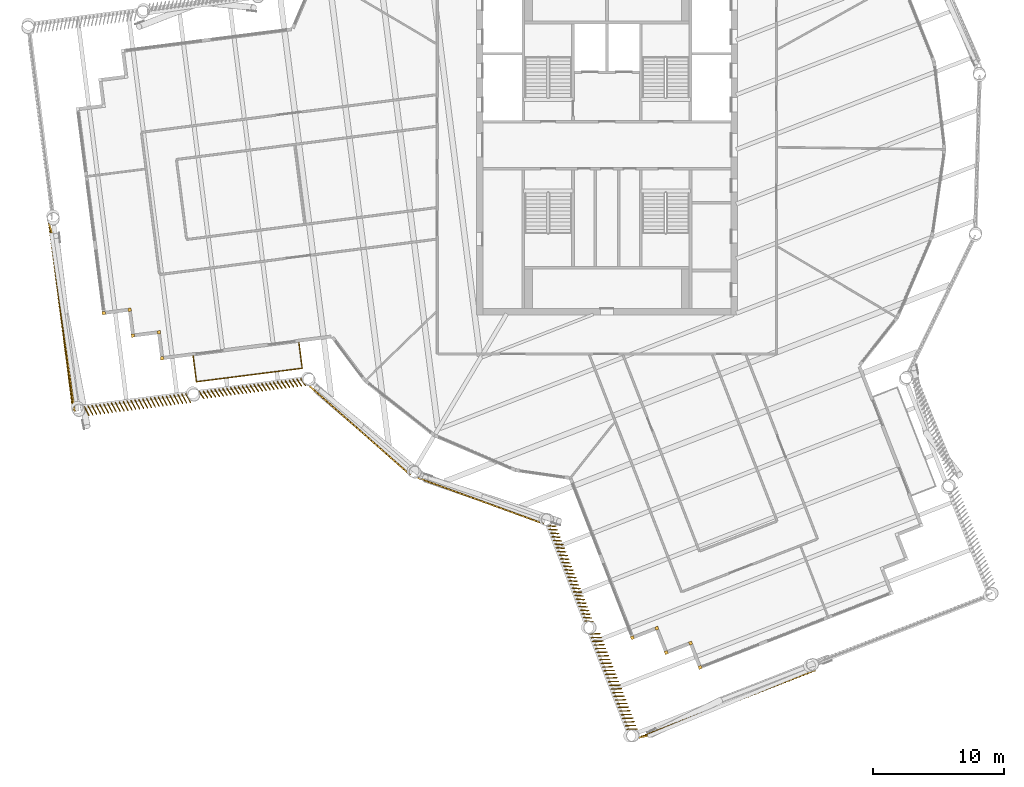
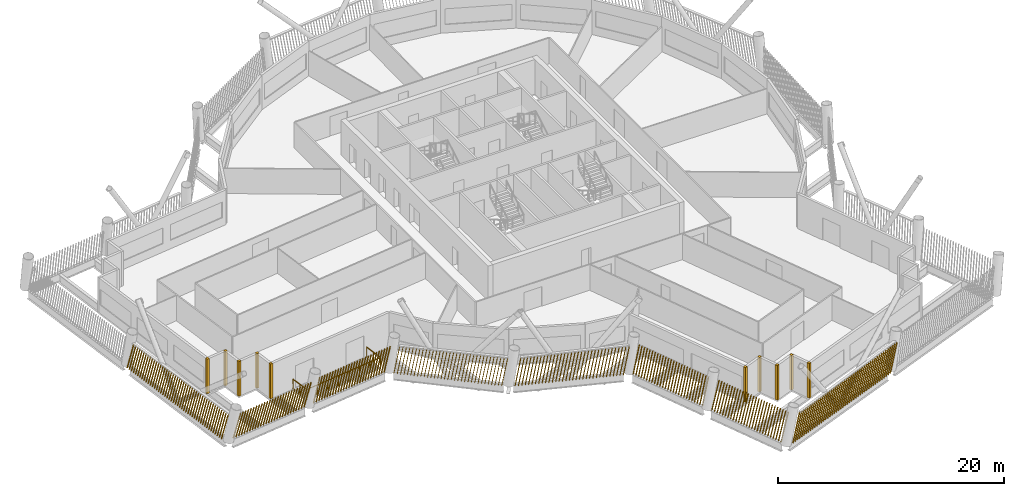
# One storey, part 16 of 20: 18 shading devices, 1 railing.
"""IFC4 building model written with IfcOpenShell, lengths in metres."""

from ifc_helpers import new_model, si_unit, direction, frame, frame_2d, origin, origin_2d, place, context, subcontext, project, spatial, rectangle, circle, composite_profile, extrude, material, type_object, element, save


model = new_model("IFC4")

# Units and contexts
model_context = context("Model", 3, precision=1e-05, world=origin(), true_north=direction((0.0, 1.0)))
body_context = subcontext(model_context, "Body", "Model", "MODEL_VIEW")
ifc_project = project(units=[si_unit("LENGTHUNIT", "METRE"), si_unit("AREAUNIT", "SQUARE_METRE"), si_unit("VOLUMEUNIT", "CUBIC_METRE"), si_unit("PLANEANGLEUNIT", "RADIAN"), si_unit("MASSUNIT", "GRAM", prefix="KILO")], contexts=[model_context])

# Site, building, storey
site_placement = place(None, origin())
site = spatial("IfcSite", under=ifc_project, at=site_placement, CompositionType="ELEMENT")
building_placement = place(site_placement, origin())
building = spatial("IfcBuilding", under=site, at=building_placement, Name="Tarsis Ring Headquarters", CompositionType="ELEMENT")
storey_placement = place(building_placement, frame((0.0, 0.0, 315.800048828125)))
storey = spatial("IfcBuildingStorey", under=building, at=storey_placement, Name="L74", CompositionType="ELEMENT", Elevation=315.800048828125)

# Railing
ifc_material_1 = material(Name="Stainless steel guard", Category="steel")
railing_type = type_object("IfcRailingType", Name="Balcony balustrade with mesh infill 1100", PredefinedType="BALUSTRADE", material=ifc_material_1)
railing_placement = place(storey_placement, frame((-31.709228515625, -16.1484375, 0.0)))
element("IfcRailing", 1, at=railing_placement, inside=storey, type_object=railing_type, Name="Balcony balustrade L74-01", PredefinedType="BALUSTRADE", context=body_context, shape_type="SweptSolid", body=[
    extrude(circle(Radius=0.030029296875, at=origin_2d()), frame((0.0, 0.0, 1.070068359375), z_axis=(0.126708553888, -0.9919399893, 0.0), x_axis=(0.9919399893, 0.126708553888, 0.0)), (0.0, 0.0, 1.0), 2.0),
    extrude(circle(Radius=0.030029296875, at=origin_2d()), frame((0.25341796875, -1.98388671875, 1.070068359375), z_axis=(0.991936839332, 0.126733211025, 0.0), x_axis=(-0.126733211025, 0.991936839332, 0.0)), (0.0, 0.0, 1.0), 8.171875),
    extrude(circle(Radius=0.030029296875, at=origin_2d()), frame((8.359375, -0.9482421875, 1.070068359375), z_axis=(-0.126708553888, 0.9919399893, 0.0), x_axis=(-0.9919399893, -0.126708553888, 0.0)), (0.0, 0.0, 1.0), 2.0),
    extrude(circle(Radius=0.02490234375, at=origin_2d()), origin(), (0.0, 0.0, 1.0), 1.0400390625),
    extrude(circle(Radius=0.02490234375, at=origin_2d()), frame((0.126708984375, -0.991943359375, 0.0)), (0.0, 0.0, 1.0), 1.0400390625),
    extrude(circle(Radius=0.02490234375, at=origin_2d()), frame((0.25341796875, -1.98388671875, 0.0)), (0.0, 0.0, 1.0), 1.0400390625),
    extrude(circle(Radius=0.02490234375, at=origin_2d()), frame((1.411376953125, -1.8359375, 0.0)), (0.0, 0.0, 1.0), 1.0400390625),
    extrude(circle(Radius=0.02490234375, at=origin_2d()), frame((2.5693359375, -1.68798828125, 0.0)), (0.0, 0.0, 1.0), 1.0400390625),
    extrude(circle(Radius=0.02490234375, at=origin_2d()), frame((3.727294921875, -1.5400390625, 0.0)), (0.0, 0.0, 1.0), 1.0400390625),
    extrude(circle(Radius=0.02490234375, at=origin_2d()), frame((4.885498046875, -1.39208984375, 0.0)), (0.0, 0.0, 1.0), 1.0400390625),
    extrude(circle(Radius=0.02490234375, at=origin_2d()), frame((6.04345703125, -1.244140625, 0.0)), (0.0, 0.0, 1.0), 1.0400390625),
    extrude(circle(Radius=0.02490234375, at=origin_2d()), frame((7.201416015625, -1.09619140625, 0.0)), (0.0, 0.0, 1.0), 1.0400390625),
    extrude(circle(Radius=0.02490234375, at=origin_2d()), frame((8.359375, -0.9482421875, 0.0)), (0.0, 0.0, 1.0), 1.0400390625),
    extrude(circle(Radius=0.02490234375, at=origin_2d()), frame((8.232666015625, 0.043701171875, 0.0)), (0.0, 0.0, 1.0), 1.0400390625),
    extrude(circle(Radius=0.02490234375, at=origin_2d()), frame((8.10595703125, 1.03564453125, 0.0)), (0.0, 0.0, 1.0), 1.0400390625),
])

# Shading devices
ifc_material_2 = material(Name="Terracotta baguette", Category="masonry")
shading_device_type_1 = type_object("IfcShadingDeviceType", Name="Terracotta baguette screen", PredefinedType="USERDEFINED", material=ifc_material_2)
shading_device_1_placement = place(storey_placement, frame((-14.498046875, -25.495849609375, 0.0), z_axis=(0.0, 0.0, 1.0), x_axis=(0.939487820112, -0.342585883823, 0.0)))
element("IfcShadingDevice", 2, at=shading_device_1_placement, inside=storey, type_object=shading_device_type_1, Name="Baguette screen L74-00", ObjectType="Terracotta baguette screen", PredefinedType="USERDEFINED", context=body_context, shape_type="SweptSolid", body=[
    extrude(composite_profile([rectangle(XDim=0.06005859375, YDim=0.1201171875, at=frame_2d((0.030029296875, 0.0))), rectangle(XDim=0.06005859375, YDim=0.1201171875, at=frame_2d((0.33349609375, 0.0))), rectangle(XDim=0.06005859375, YDim=0.1201171875, at=frame_2d((0.636962890625, 0.0))), rectangle(XDim=0.06005859375, YDim=0.1201171875, at=frame_2d((0.9404296875, 0.0))), rectangle(XDim=0.06005859375, YDim=0.1201171875, at=frame_2d((1.243896484375, 0.0))), rectangle(XDim=0.06005859375, YDim=0.1201171875, at=frame_2d((1.54736328125, 0.0))), rectangle(XDim=0.06005859375, YDim=0.1201171875, at=frame_2d((1.85107421875, 0.0))), rectangle(XDim=0.06005859375, YDim=0.1201171875, at=frame_2d((2.154541015625, 0.0))), rectangle(XDim=0.06005859375, YDim=0.1201171875, at=frame_2d((2.4580078125, 0.0))), rectangle(XDim=0.06005859375, YDim=0.1201171875, at=frame_2d((2.761474609375, 0.0))), rectangle(XDim=0.06005859375, YDim=0.1201171875, at=frame_2d((3.06494140625, 0.0))), rectangle(XDim=0.06005859375, YDim=0.1201171875, at=frame_2d((3.368408203125, 0.0))), rectangle(XDim=0.06005859375, YDim=0.1201171875, at=frame_2d((3.671875, 0.0))), rectangle(XDim=0.06005859375, YDim=0.1201171875, at=frame_2d((3.975341796875, 0.0))), rectangle(XDim=0.06005859375, YDim=0.1201171875, at=frame_2d((4.27880859375, 0.0))), rectangle(XDim=0.06005859375, YDim=0.1201171875, at=frame_2d((4.582275390625, 0.0))), rectangle(XDim=0.06005859375, YDim=0.1201171875, at=frame_2d((4.8857421875, 0.0))), rectangle(XDim=0.06005859375, YDim=0.1201171875, at=frame_2d((5.189453125, 0.0))), rectangle(XDim=0.06005859375, YDim=0.1201171875, at=frame_2d((5.492919921875, 0.0))), rectangle(XDim=0.06005859375, YDim=0.1201171875, at=frame_2d((5.79638671875, 0.0))), rectangle(XDim=0.06005859375, YDim=0.1201171875, at=frame_2d((6.099853515625, 0.0))), rectangle(XDim=0.06005859375, YDim=0.1201171875, at=frame_2d((6.4033203125, 0.0))), rectangle(XDim=0.06005859375, YDim=0.1201171875, at=frame_2d((6.706787109375, 0.0))), rectangle(XDim=0.06005859375, YDim=0.1201171875, at=frame_2d((7.01025390625, 0.0))), rectangle(XDim=0.06005859375, YDim=0.1201171875, at=frame_2d((7.313720703125, 0.0))), rectangle(XDim=0.06005859375, YDim=0.1201171875, at=frame_2d((7.6171875, 0.0))), rectangle(XDim=0.06005859375, YDim=0.1201171875, at=frame_2d((7.920654296875, 0.0))), rectangle(XDim=0.06005859375, YDim=0.1201171875, at=frame_2d((8.224365234375, 0.0))), rectangle(XDim=0.06005859375, YDim=0.1201171875, at=frame_2d((8.52783203125, 0.0))), rectangle(XDim=0.06005859375, YDim=0.1201171875, at=frame_2d((8.831298828125, 0.0))), rectangle(XDim=0.06005859375, YDim=0.1201171875, at=frame_2d((9.134765625, 0.0))), rectangle(XDim=0.06005859375, YDim=0.1201171875, at=frame_2d((9.438232421875, 0.0))), rectangle(XDim=0.06005859375, YDim=0.1201171875, at=frame_2d((9.74169921875, 0.0)))]), origin(), (0.174165955542, 0.001578949662, 0.984715048554), 3.013916015625),
])
shading_device_2_placement = place(storey_placement, frame((-4.537841796875, -29.12841796875, 0.0), z_axis=(0.0, 0.0, 1.0), x_axis=(0.362920168067, -0.931815373208, 0.0)))
element("IfcShadingDevice", 3, at=shading_device_2_placement, inside=storey, type_object=shading_device_type_1, Name="Baguette screen L74-01", ObjectType="Terracotta baguette screen", PredefinedType="USERDEFINED", context=body_context, shape_type="SweptSolid", body=[
    extrude(composite_profile([rectangle(XDim=0.06005859375, YDim=0.1201171875, at=frame_2d((0.030029296875, 0.0))), rectangle(XDim=0.06005859375, YDim=0.1201171875, at=frame_2d((0.33154296875, 0.0))), rectangle(XDim=0.06005859375, YDim=0.1201171875, at=frame_2d((0.63330078125, 0.0))), rectangle(XDim=0.06005859375, YDim=0.1201171875, at=frame_2d((0.934814453125, 0.0))), rectangle(XDim=0.06005859375, YDim=0.1201171875, at=frame_2d((1.236572265625, 0.0))), rectangle(XDim=0.06005859375, YDim=0.1201171875, at=frame_2d((1.5380859375, 0.0))), rectangle(XDim=0.06005859375, YDim=0.1201171875, at=frame_2d((1.83984375, 0.0))), rectangle(XDim=0.06005859375, YDim=0.1201171875, at=frame_2d((2.141357421875, 0.0))), rectangle(XDim=0.06005859375, YDim=0.1201171875, at=frame_2d((2.443115234375, 0.0))), rectangle(XDim=0.06005859375, YDim=0.1201171875, at=frame_2d((2.74462890625, 0.0))), rectangle(XDim=0.06005859375, YDim=0.1201171875, at=frame_2d((3.04638671875, 0.0))), rectangle(XDim=0.06005859375, YDim=0.1201171875, at=frame_2d((3.347900390625, 0.0))), rectangle(XDim=0.06005859375, YDim=0.1201171875, at=frame_2d((3.649658203125, 0.0))), rectangle(XDim=0.06005859375, YDim=0.1201171875, at=frame_2d((3.951171875, 0.0))), rectangle(XDim=0.06005859375, YDim=0.1201171875, at=frame_2d((4.252685546875, 0.0))), rectangle(XDim=0.06005859375, YDim=0.1201171875, at=frame_2d((4.554443359375, 0.0))), rectangle(XDim=0.06005859375, YDim=0.1201171875, at=frame_2d((4.85595703125, 0.0))), rectangle(XDim=0.06005859375, YDim=0.1201171875, at=frame_2d((5.15771484375, 0.0))), rectangle(XDim=0.06005859375, YDim=0.1201171875, at=frame_2d((5.459228515625, 0.0))), rectangle(XDim=0.06005859375, YDim=0.1201171875, at=frame_2d((5.760986328125, 0.0))), rectangle(XDim=0.06005859375, YDim=0.1201171875, at=frame_2d((6.0625, 0.0))), rectangle(XDim=0.06005859375, YDim=0.1201171875, at=frame_2d((6.3642578125, 0.0))), rectangle(XDim=0.06005859375, YDim=0.1201171875, at=frame_2d((6.665771484375, 0.0))), rectangle(XDim=0.06005859375, YDim=0.1201171875, at=frame_2d((6.967529296875, 0.0))), rectangle(XDim=0.06005859375, YDim=0.1201171875, at=frame_2d((7.26904296875, 0.0))), rectangle(XDim=0.06005859375, YDim=0.1201171875, at=frame_2d((7.57080078125, 0.0))), rectangle(XDim=0.06005859375, YDim=0.1201171875, at=frame_2d((7.872314453125, 0.0)))]), origin(), (0.087126286639, 0.177345059926, 0.98028451987), 3.02734375),
])
shading_device_3_placement = place(storey_placement, frame((-1.30712890625, -37.423828125, 0.0), z_axis=(0.0, 0.0, 1.0), x_axis=(0.362931380727, -0.931813266599, 0.0)))
element("IfcShadingDevice", 4, at=shading_device_3_placement, inside=storey, type_object=shading_device_type_1, Name="Baguette screen L74-02", ObjectType="Terracotta baguette screen", PredefinedType="USERDEFINED", context=body_context, shape_type="SweptSolid", body=[
    extrude(composite_profile([rectangle(XDim=0.06005859375, YDim=0.1201171875, at=frame_2d((0.030029296875, 0.0))), rectangle(XDim=0.06005859375, YDim=0.1201171875, at=frame_2d((0.33154296875, 0.0))), rectangle(XDim=0.06005859375, YDim=0.1201171875, at=frame_2d((0.63330078125, 0.0))), rectangle(XDim=0.06005859375, YDim=0.1201171875, at=frame_2d((0.934814453125, 0.0))), rectangle(XDim=0.06005859375, YDim=0.1201171875, at=frame_2d((1.236572265625, 0.0))), rectangle(XDim=0.06005859375, YDim=0.1201171875, at=frame_2d((1.5380859375, 0.0))), rectangle(XDim=0.06005859375, YDim=0.1201171875, at=frame_2d((1.83984375, 0.0))), rectangle(XDim=0.06005859375, YDim=0.1201171875, at=frame_2d((2.141357421875, 0.0))), rectangle(XDim=0.06005859375, YDim=0.1201171875, at=frame_2d((2.443115234375, 0.0))), rectangle(XDim=0.06005859375, YDim=0.1201171875, at=frame_2d((2.74462890625, 0.0))), rectangle(XDim=0.06005859375, YDim=0.1201171875, at=frame_2d((3.04638671875, 0.0))), rectangle(XDim=0.06005859375, YDim=0.1201171875, at=frame_2d((3.347900390625, 0.0))), rectangle(XDim=0.06005859375, YDim=0.1201171875, at=frame_2d((3.649658203125, 0.0))), rectangle(XDim=0.06005859375, YDim=0.1201171875, at=frame_2d((3.951171875, 0.0))), rectangle(XDim=0.06005859375, YDim=0.1201171875, at=frame_2d((4.252685546875, 0.0))), rectangle(XDim=0.06005859375, YDim=0.1201171875, at=frame_2d((4.554443359375, 0.0))), rectangle(XDim=0.06005859375, YDim=0.1201171875, at=frame_2d((4.85595703125, 0.0))), rectangle(XDim=0.06005859375, YDim=0.1201171875, at=frame_2d((5.15771484375, 0.0))), rectangle(XDim=0.06005859375, YDim=0.1201171875, at=frame_2d((5.459228515625, 0.0))), rectangle(XDim=0.06005859375, YDim=0.1201171875, at=frame_2d((5.760986328125, 0.0))), rectangle(XDim=0.06005859375, YDim=0.1201171875, at=frame_2d((6.0625, 0.0))), rectangle(XDim=0.06005859375, YDim=0.1201171875, at=frame_2d((6.3642578125, 0.0))), rectangle(XDim=0.06005859375, YDim=0.1201171875, at=frame_2d((6.665771484375, 0.0))), rectangle(XDim=0.06005859375, YDim=0.1201171875, at=frame_2d((6.967529296875, 0.0))), rectangle(XDim=0.06005859375, YDim=0.1201171875, at=frame_2d((7.26904296875, 0.0))), rectangle(XDim=0.06005859375, YDim=0.1201171875, at=frame_2d((7.57080078125, 0.0))), rectangle(XDim=0.06005859375, YDim=0.1201171875, at=frame_2d((7.872314453125, 0.0)))]), origin(), (0.085719917928, 0.228253011385, 0.969820941444), 3.06005859375),
])
shading_device_4_placement = place(storey_placement, frame((2.34423828125, -45.421142578125, 0.0), z_axis=(0.0, 0.0, 1.0), x_axis=(0.931817779743, 0.362936753649, 0.0)))
element("IfcShadingDevice", 5, at=shading_device_4_placement, inside=storey, type_object=shading_device_type_1, Name="Baguette screen L74-03", ObjectType="Terracotta baguette screen", PredefinedType="USERDEFINED", context=body_context, shape_type="SweptSolid", body=[
    extrude(composite_profile([rectangle(XDim=0.06005859375, YDim=0.1201171875, at=frame_2d((0.030029296875, 0.0))), rectangle(XDim=0.06005859375, YDim=0.1201171875, at=frame_2d((0.33544921875, 0.0))), rectangle(XDim=0.06005859375, YDim=0.1201171875, at=frame_2d((0.640625, 0.0))), rectangle(XDim=0.06005859375, YDim=0.1201171875, at=frame_2d((0.946044921875, 0.0))), rectangle(XDim=0.06005859375, YDim=0.1201171875, at=frame_2d((1.25146484375, 0.0))), rectangle(XDim=0.06005859375, YDim=0.1201171875, at=frame_2d((1.556640625, 0.0))), rectangle(XDim=0.06005859375, YDim=0.1201171875, at=frame_2d((1.862060546875, 0.0))), rectangle(XDim=0.06005859375, YDim=0.1201171875, at=frame_2d((2.16748046875, 0.0))), rectangle(XDim=0.06005859375, YDim=0.1201171875, at=frame_2d((2.47265625, 0.0))), rectangle(XDim=0.06005859375, YDim=0.1201171875, at=frame_2d((2.778076171875, 0.0))), rectangle(XDim=0.06005859375, YDim=0.1201171875, at=frame_2d((3.08349609375, 0.0))), rectangle(XDim=0.06005859375, YDim=0.1201171875, at=frame_2d((3.388671875, 0.0))), rectangle(XDim=0.06005859375, YDim=0.1201171875, at=frame_2d((3.694091796875, 0.0))), rectangle(XDim=0.06005859375, YDim=0.1201171875, at=frame_2d((3.99951171875, 0.0))), rectangle(XDim=0.06005859375, YDim=0.1201171875, at=frame_2d((4.3046875, 0.0))), rectangle(XDim=0.06005859375, YDim=0.1201171875, at=frame_2d((4.610107421875, 0.0))), rectangle(XDim=0.06005859375, YDim=0.1201171875, at=frame_2d((4.91552734375, 0.0))), rectangle(XDim=0.06005859375, YDim=0.1201171875, at=frame_2d((5.220703125, 0.0))), rectangle(XDim=0.06005859375, YDim=0.1201171875, at=frame_2d((5.526123046875, 0.0))), rectangle(XDim=0.06005859375, YDim=0.1201171875, at=frame_2d((5.83154296875, 0.0))), rectangle(XDim=0.06005859375, YDim=0.1201171875, at=frame_2d((6.13671875, 0.0))), rectangle(XDim=0.06005859375, YDim=0.1201171875, at=frame_2d((6.442138671875, 0.0))), rectangle(XDim=0.06005859375, YDim=0.1201171875, at=frame_2d((6.74755859375, 0.0))), rectangle(XDim=0.06005859375, YDim=0.1201171875, at=frame_2d((7.052734375, 0.0))), rectangle(XDim=0.06005859375, YDim=0.1201171875, at=frame_2d((7.358154296875, 0.0))), rectangle(XDim=0.06005859375, YDim=0.1201171875, at=frame_2d((7.66357421875, 0.0))), rectangle(XDim=0.06005859375, YDim=0.1201171875, at=frame_2d((7.96875, 0.0))), rectangle(XDim=0.06005859375, YDim=0.1201171875, at=frame_2d((8.274169921875, 0.0))), rectangle(XDim=0.06005859375, YDim=0.1201171875, at=frame_2d((8.57958984375, 0.0))), rectangle(XDim=0.06005859375, YDim=0.1201171875, at=frame_2d((8.884765625, 0.0))), rectangle(XDim=0.06005859375, YDim=0.1201171875, at=frame_2d((9.190185546875, 0.0))), rectangle(XDim=0.06005859375, YDim=0.1201171875, at=frame_2d((9.49560546875, 0.0))), rectangle(XDim=0.06005859375, YDim=0.1201171875, at=frame_2d((9.80078125, 0.0))), rectangle(XDim=0.06005859375, YDim=0.1201171875, at=frame_2d((10.106201171875, 0.0))), rectangle(XDim=0.06005859375, YDim=0.1201171875, at=frame_2d((10.41162109375, 0.0))), rectangle(XDim=0.06005859375, YDim=0.1201171875, at=frame_2d((10.716796875, 0.0))), rectangle(XDim=0.06005859375, YDim=0.1201171875, at=frame_2d((11.022216796875, 0.0))), rectangle(XDim=0.06005859375, YDim=0.1201171875, at=frame_2d((11.32763671875, 0.0))), rectangle(XDim=0.06005859375, YDim=0.1201171875, at=frame_2d((11.6328125, 0.0))), rectangle(XDim=0.06005859375, YDim=0.1201171875, at=frame_2d((11.938232421875, 0.0))), rectangle(XDim=0.06005859375, YDim=0.1201171875, at=frame_2d((12.24365234375, 0.0))), rectangle(XDim=0.06005859375, YDim=0.1201171875, at=frame_2d((12.548828125, 0.0))), rectangle(XDim=0.06005859375, YDim=0.1201171875, at=frame_2d((12.854248046875, 0.0))), rectangle(XDim=0.06005859375, YDim=0.1201171875, at=frame_2d((13.15966796875, 0.0))), rectangle(XDim=0.06005859375, YDim=0.1201171875, at=frame_2d((13.46484375, 0.0))), rectangle(XDim=0.06005859375, YDim=0.1201171875, at=frame_2d((13.770263671875, 0.0)))]), origin(), (0.255453390059, -0.041403411492, 0.965934429982), 3.072509765625),
])
shading_device_5_placement = place(storey_placement, frame((-42.763671875, -5.967041015625, 0.0), z_axis=(0.0, 0.0, 1.0), x_axis=(0.126722689076, -0.991932773109, 0.0)))
element("IfcShadingDevice", 6, at=shading_device_5_placement, inside=storey, type_object=shading_device_type_1, Name="Baguette screen L74-18", ObjectType="Terracotta baguette screen", PredefinedType="USERDEFINED", context=body_context, shape_type="SweptSolid", body=[
    extrude(composite_profile([rectangle(XDim=0.06005859375, YDim=0.1201171875, at=frame_2d((0.030029296875, 0.0))), rectangle(XDim=0.06005859375, YDim=0.1201171875, at=frame_2d((0.33544921875, 0.0))), rectangle(XDim=0.06005859375, YDim=0.1201171875, at=frame_2d((0.640625, 0.0))), rectangle(XDim=0.06005859375, YDim=0.1201171875, at=frame_2d((0.946044921875, 0.0))), rectangle(XDim=0.06005859375, YDim=0.1201171875, at=frame_2d((1.25146484375, 0.0))), rectangle(XDim=0.06005859375, YDim=0.1201171875, at=frame_2d((1.556640625, 0.0))), rectangle(XDim=0.06005859375, YDim=0.1201171875, at=frame_2d((1.862060546875, 0.0))), rectangle(XDim=0.06005859375, YDim=0.1201171875, at=frame_2d((2.16748046875, 0.0))), rectangle(XDim=0.06005859375, YDim=0.1201171875, at=frame_2d((2.47265625, 0.0))), rectangle(XDim=0.06005859375, YDim=0.1201171875, at=frame_2d((2.778076171875, 0.0))), rectangle(XDim=0.06005859375, YDim=0.1201171875, at=frame_2d((3.08349609375, 0.0))), rectangle(XDim=0.06005859375, YDim=0.1201171875, at=frame_2d((3.388671875, 0.0))), rectangle(XDim=0.06005859375, YDim=0.1201171875, at=frame_2d((3.694091796875, 0.0))), rectangle(XDim=0.06005859375, YDim=0.1201171875, at=frame_2d((3.99951171875, 0.0))), rectangle(XDim=0.06005859375, YDim=0.1201171875, at=frame_2d((4.3046875, 0.0))), rectangle(XDim=0.06005859375, YDim=0.1201171875, at=frame_2d((4.610107421875, 0.0))), rectangle(XDim=0.06005859375, YDim=0.1201171875, at=frame_2d((4.91552734375, 0.0))), rectangle(XDim=0.06005859375, YDim=0.1201171875, at=frame_2d((5.220703125, 0.0))), rectangle(XDim=0.06005859375, YDim=0.1201171875, at=frame_2d((5.526123046875, 0.0))), rectangle(XDim=0.06005859375, YDim=0.1201171875, at=frame_2d((5.83154296875, 0.0))), rectangle(XDim=0.06005859375, YDim=0.1201171875, at=frame_2d((6.13671875, 0.0))), rectangle(XDim=0.06005859375, YDim=0.1201171875, at=frame_2d((6.442138671875, 0.0))), rectangle(XDim=0.06005859375, YDim=0.1201171875, at=frame_2d((6.74755859375, 0.0))), rectangle(XDim=0.06005859375, YDim=0.1201171875, at=frame_2d((7.052734375, 0.0))), rectangle(XDim=0.06005859375, YDim=0.1201171875, at=frame_2d((7.358154296875, 0.0))), rectangle(XDim=0.06005859375, YDim=0.1201171875, at=frame_2d((7.66357421875, 0.0))), rectangle(XDim=0.06005859375, YDim=0.1201171875, at=frame_2d((7.96875, 0.0))), rectangle(XDim=0.06005859375, YDim=0.1201171875, at=frame_2d((8.274169921875, 0.0))), rectangle(XDim=0.06005859375, YDim=0.1201171875, at=frame_2d((8.57958984375, 0.0))), rectangle(XDim=0.06005859375, YDim=0.1201171875, at=frame_2d((8.884765625, 0.0))), rectangle(XDim=0.06005859375, YDim=0.1201171875, at=frame_2d((9.190185546875, 0.0))), rectangle(XDim=0.06005859375, YDim=0.1201171875, at=frame_2d((9.49560546875, 0.0))), rectangle(XDim=0.06005859375, YDim=0.1201171875, at=frame_2d((9.80078125, 0.0))), rectangle(XDim=0.06005859375, YDim=0.1201171875, at=frame_2d((10.106201171875, 0.0))), rectangle(XDim=0.06005859375, YDim=0.1201171875, at=frame_2d((10.41162109375, 0.0))), rectangle(XDim=0.06005859375, YDim=0.1201171875, at=frame_2d((10.716796875, 0.0))), rectangle(XDim=0.06005859375, YDim=0.1201171875, at=frame_2d((11.022216796875, 0.0))), rectangle(XDim=0.06005859375, YDim=0.1201171875, at=frame_2d((11.32763671875, 0.0))), rectangle(XDim=0.06005859375, YDim=0.1201171875, at=frame_2d((11.6328125, 0.0))), rectangle(XDim=0.06005859375, YDim=0.1201171875, at=frame_2d((11.938232421875, 0.0))), rectangle(XDim=0.06005859375, YDim=0.1201171875, at=frame_2d((12.24365234375, 0.0))), rectangle(XDim=0.06005859375, YDim=0.1201171875, at=frame_2d((12.548828125, 0.0))), rectangle(XDim=0.06005859375, YDim=0.1201171875, at=frame_2d((12.854248046875, 0.0))), rectangle(XDim=0.06005859375, YDim=0.1201171875, at=frame_2d((13.15966796875, 0.0))), rectangle(XDim=0.06005859375, YDim=0.1201171875, at=frame_2d((13.46484375, 0.0))), rectangle(XDim=0.06005859375, YDim=0.1201171875, at=frame_2d((13.770263671875, 0.0)))]), origin(), (0.254658867171, 0.046029119964, 0.965934874351), 3.072509765625),
])
shading_device_6_placement = place(storey_placement, frame((-40.08349609375, -20.040771484375, 0.0), z_axis=(0.0, 0.0, 1.0), x_axis=(0.991936231347, 0.126703123552, 0.0)))
element("IfcShadingDevice", 7, at=shading_device_6_placement, inside=storey, type_object=shading_device_type_1, Name="Baguette screen L74-19", ObjectType="Terracotta baguette screen", PredefinedType="USERDEFINED", context=body_context, shape_type="SweptSolid", body=[
    extrude(composite_profile([rectangle(XDim=0.06005859375, YDim=0.1201171875, at=frame_2d((0.030029296875, 0.0))), rectangle(XDim=0.06005859375, YDim=0.1201171875, at=frame_2d((0.33154296875, 0.0))), rectangle(XDim=0.06005859375, YDim=0.1201171875, at=frame_2d((0.63330078125, 0.0))), rectangle(XDim=0.06005859375, YDim=0.1201171875, at=frame_2d((0.934814453125, 0.0))), rectangle(XDim=0.06005859375, YDim=0.1201171875, at=frame_2d((1.236572265625, 0.0))), rectangle(XDim=0.06005859375, YDim=0.1201171875, at=frame_2d((1.5380859375, 0.0))), rectangle(XDim=0.06005859375, YDim=0.1201171875, at=frame_2d((1.83984375, 0.0))), rectangle(XDim=0.06005859375, YDim=0.1201171875, at=frame_2d((2.141357421875, 0.0))), rectangle(XDim=0.06005859375, YDim=0.1201171875, at=frame_2d((2.443115234375, 0.0))), rectangle(XDim=0.06005859375, YDim=0.1201171875, at=frame_2d((2.74462890625, 0.0))), rectangle(XDim=0.06005859375, YDim=0.1201171875, at=frame_2d((3.04638671875, 0.0))), rectangle(XDim=0.06005859375, YDim=0.1201171875, at=frame_2d((3.347900390625, 0.0))), rectangle(XDim=0.06005859375, YDim=0.1201171875, at=frame_2d((3.649658203125, 0.0))), rectangle(XDim=0.06005859375, YDim=0.1201171875, at=frame_2d((3.951171875, 0.0))), rectangle(XDim=0.06005859375, YDim=0.1201171875, at=frame_2d((4.252685546875, 0.0))), rectangle(XDim=0.06005859375, YDim=0.1201171875, at=frame_2d((4.554443359375, 0.0))), rectangle(XDim=0.06005859375, YDim=0.1201171875, at=frame_2d((4.85595703125, 0.0))), rectangle(XDim=0.06005859375, YDim=0.1201171875, at=frame_2d((5.15771484375, 0.0))), rectangle(XDim=0.06005859375, YDim=0.1201171875, at=frame_2d((5.459228515625, 0.0))), rectangle(XDim=0.06005859375, YDim=0.1201171875, at=frame_2d((5.760986328125, 0.0))), rectangle(XDim=0.06005859375, YDim=0.1201171875, at=frame_2d((6.0625, 0.0))), rectangle(XDim=0.06005859375, YDim=0.1201171875, at=frame_2d((6.3642578125, 0.0))), rectangle(XDim=0.06005859375, YDim=0.1201171875, at=frame_2d((6.665771484375, 0.0))), rectangle(XDim=0.06005859375, YDim=0.1201171875, at=frame_2d((6.967529296875, 0.0))), rectangle(XDim=0.06005859375, YDim=0.1201171875, at=frame_2d((7.26904296875, 0.0))), rectangle(XDim=0.06005859375, YDim=0.1201171875, at=frame_2d((7.57080078125, 0.0))), rectangle(XDim=0.06005859375, YDim=0.1201171875, at=frame_2d((7.872314453125, 0.0)))]), origin(), (0.089850323978, -0.226658629702, 0.96982100661), 3.06005859375),
])
shading_device_7_placement = place(storey_placement, frame((-31.253173828125, -18.912841796875, 0.0), z_axis=(0.0, 0.0, 1.0), x_axis=(0.991936480475, 0.126730103806, 0.0)))
element("IfcShadingDevice", 8, at=shading_device_7_placement, inside=storey, type_object=shading_device_type_1, Name="Baguette screen L74-20", ObjectType="Terracotta baguette screen", PredefinedType="USERDEFINED", context=body_context, shape_type="SweptSolid", body=[
    extrude(composite_profile([rectangle(XDim=0.06005859375, YDim=0.1201171875, at=frame_2d((0.030029296875, 0.0))), rectangle(XDim=0.06005859375, YDim=0.1201171875, at=frame_2d((0.33154296875, 0.0))), rectangle(XDim=0.06005859375, YDim=0.1201171875, at=frame_2d((0.63330078125, 0.0))), rectangle(XDim=0.06005859375, YDim=0.1201171875, at=frame_2d((0.934814453125, 0.0))), rectangle(XDim=0.06005859375, YDim=0.1201171875, at=frame_2d((1.236572265625, 0.0))), rectangle(XDim=0.06005859375, YDim=0.1201171875, at=frame_2d((1.5380859375, 0.0))), rectangle(XDim=0.06005859375, YDim=0.1201171875, at=frame_2d((1.83984375, 0.0))), rectangle(XDim=0.06005859375, YDim=0.1201171875, at=frame_2d((2.141357421875, 0.0))), rectangle(XDim=0.06005859375, YDim=0.1201171875, at=frame_2d((2.443115234375, 0.0))), rectangle(XDim=0.06005859375, YDim=0.1201171875, at=frame_2d((2.74462890625, 0.0))), rectangle(XDim=0.06005859375, YDim=0.1201171875, at=frame_2d((3.04638671875, 0.0))), rectangle(XDim=0.06005859375, YDim=0.1201171875, at=frame_2d((3.347900390625, 0.0))), rectangle(XDim=0.06005859375, YDim=0.1201171875, at=frame_2d((3.649658203125, 0.0))), rectangle(XDim=0.06005859375, YDim=0.1201171875, at=frame_2d((3.951171875, 0.0))), rectangle(XDim=0.06005859375, YDim=0.1201171875, at=frame_2d((4.252685546875, 0.0))), rectangle(XDim=0.06005859375, YDim=0.1201171875, at=frame_2d((4.554443359375, 0.0))), rectangle(XDim=0.06005859375, YDim=0.1201171875, at=frame_2d((4.85595703125, 0.0))), rectangle(XDim=0.06005859375, YDim=0.1201171875, at=frame_2d((5.15771484375, 0.0))), rectangle(XDim=0.06005859375, YDim=0.1201171875, at=frame_2d((5.459228515625, 0.0))), rectangle(XDim=0.06005859375, YDim=0.1201171875, at=frame_2d((5.760986328125, 0.0))), rectangle(XDim=0.06005859375, YDim=0.1201171875, at=frame_2d((6.0625, 0.0))), rectangle(XDim=0.06005859375, YDim=0.1201171875, at=frame_2d((6.3642578125, 0.0))), rectangle(XDim=0.06005859375, YDim=0.1201171875, at=frame_2d((6.665771484375, 0.0))), rectangle(XDim=0.06005859375, YDim=0.1201171875, at=frame_2d((6.967529296875, 0.0))), rectangle(XDim=0.06005859375, YDim=0.1201171875, at=frame_2d((7.26904296875, 0.0))), rectangle(XDim=0.06005859375, YDim=0.1201171875, at=frame_2d((7.57080078125, 0.0))), rectangle(XDim=0.06005859375, YDim=0.1201171875, at=frame_2d((7.872314453125, 0.0)))]), origin(), (0.090330074286, -0.175736086959, 0.980284298262), 3.02734375),
])
shading_device_8_placement = place(storey_placement, frame((-22.79150390625, -18.4599609375, 0.0), z_axis=(0.0, 0.0, 1.0), x_axis=(0.750056214866, -0.661386633354, 0.0)))
element("IfcShadingDevice", 9, at=shading_device_8_placement, inside=storey, type_object=shading_device_type_1, Name="Baguette screen L74-21", ObjectType="Terracotta baguette screen", PredefinedType="USERDEFINED", context=body_context, shape_type="SweptSolid", body=[
    extrude(composite_profile([rectangle(XDim=0.06005859375, YDim=0.1201171875, at=frame_2d((0.030029296875, 0.0))), rectangle(XDim=0.06005859375, YDim=0.1201171875, at=frame_2d((0.33349609375, 0.0))), rectangle(XDim=0.06005859375, YDim=0.1201171875, at=frame_2d((0.636962890625, 0.0))), rectangle(XDim=0.06005859375, YDim=0.1201171875, at=frame_2d((0.9404296875, 0.0))), rectangle(XDim=0.06005859375, YDim=0.1201171875, at=frame_2d((1.243896484375, 0.0))), rectangle(XDim=0.06005859375, YDim=0.1201171875, at=frame_2d((1.54736328125, 0.0))), rectangle(XDim=0.06005859375, YDim=0.1201171875, at=frame_2d((1.85107421875, 0.0))), rectangle(XDim=0.06005859375, YDim=0.1201171875, at=frame_2d((2.154541015625, 0.0))), rectangle(XDim=0.06005859375, YDim=0.1201171875, at=frame_2d((2.4580078125, 0.0))), rectangle(XDim=0.06005859375, YDim=0.1201171875, at=frame_2d((2.761474609375, 0.0))), rectangle(XDim=0.06005859375, YDim=0.1201171875, at=frame_2d((3.06494140625, 0.0))), rectangle(XDim=0.06005859375, YDim=0.1201171875, at=frame_2d((3.368408203125, 0.0))), rectangle(XDim=0.06005859375, YDim=0.1201171875, at=frame_2d((3.671875, 0.0))), rectangle(XDim=0.06005859375, YDim=0.1201171875, at=frame_2d((3.975341796875, 0.0))), rectangle(XDim=0.06005859375, YDim=0.1201171875, at=frame_2d((4.27880859375, 0.0))), rectangle(XDim=0.06005859375, YDim=0.1201171875, at=frame_2d((4.582275390625, 0.0))), rectangle(XDim=0.06005859375, YDim=0.1201171875, at=frame_2d((4.8857421875, 0.0))), rectangle(XDim=0.06005859375, YDim=0.1201171875, at=frame_2d((5.189453125, 0.0))), rectangle(XDim=0.06005859375, YDim=0.1201171875, at=frame_2d((5.492919921875, 0.0))), rectangle(XDim=0.06005859375, YDim=0.1201171875, at=frame_2d((5.79638671875, 0.0))), rectangle(XDim=0.06005859375, YDim=0.1201171875, at=frame_2d((6.099853515625, 0.0))), rectangle(XDim=0.06005859375, YDim=0.1201171875, at=frame_2d((6.4033203125, 0.0))), rectangle(XDim=0.06005859375, YDim=0.1201171875, at=frame_2d((6.706787109375, 0.0))), rectangle(XDim=0.06005859375, YDim=0.1201171875, at=frame_2d((7.01025390625, 0.0))), rectangle(XDim=0.06005859375, YDim=0.1201171875, at=frame_2d((7.313720703125, 0.0))), rectangle(XDim=0.06005859375, YDim=0.1201171875, at=frame_2d((7.6171875, 0.0))), rectangle(XDim=0.06005859375, YDim=0.1201171875, at=frame_2d((7.920654296875, 0.0))), rectangle(XDim=0.06005859375, YDim=0.1201171875, at=frame_2d((8.224365234375, 0.0))), rectangle(XDim=0.06005859375, YDim=0.1201171875, at=frame_2d((8.52783203125, 0.0))), rectangle(XDim=0.06005859375, YDim=0.1201171875, at=frame_2d((8.831298828125, 0.0))), rectangle(XDim=0.06005859375, YDim=0.1201171875, at=frame_2d((9.134765625, 0.0))), rectangle(XDim=0.06005859375, YDim=0.1201171875, at=frame_2d((9.438232421875, 0.0))), rectangle(XDim=0.06005859375, YDim=0.1201171875, at=frame_2d((9.74169921875, 0.0)))]), origin(), (0.174167301925, 0.001581647862, 0.984714806089), 3.013916015625),
])
shading_device_type_2 = type_object("IfcShadingDeviceType", Name="Terracotta corner baguette 250x250", PredefinedType="USERDEFINED", material=ifc_material_2)
for number, where, z_axis, x_axis, name in (
    (10, (-34.0810546875, -16.3251953125, 0.0), (0.0, 0.0, 1.0), (0.126718520203, -0.99193871617, 0.0), "Corner baguette L74-01"),
    (11, (1.95458984375, -37.73876953125, 0.0), (0.0, 0.0, 1.0), (0.362926019285, -0.931817956752, 0.0), "Corner baguette L74-07"),
    (12, (3.818359375, -37.012939453125, 0.0), (0.0, 0.0, 1.0), (0.931818070769, 0.362925726546, 0.0), "Corner baguette L74-08"),
    (13, (4.544189453125, -38.87646484375, 0.0), (0.0, 0.0, 1.0), (0.362926425867, -0.931817798396, 0.0), "Corner baguette L74-09"),
    (14, (6.40771484375, -38.150634765625, 0.0), (0.0, 0.0, 1.0), (0.931817969421, 0.362925986758, 0.0), "Corner baguette L74-10"),
    (15, (7.133544921875, -40.014404296875, 0.0), (0.0, 0.0, 1.0), (0.362925726546, -0.931818070769, 0.0), "Corner baguette L74-11"),
    (16, (-38.5556640625, -12.864501953125, 0.0), (0.0, 0.0, 1.0), (0.126718381703, -0.991938733863, 0.0), "Corner baguette L74-37"),
    (17, (-36.57177734375, -12.611083984375, 0.0), (0.0, 0.0, 1.0), (0.99193871617, 0.126718520203, 0.0), "Corner baguette L74-38"),
    (18, (-36.318359375, -14.594970703125, 0.0), (0.0, 0.0, 1.0), (0.126718035451, -0.991938778096, 0.0), "Corner baguette L74-39"),
    (19, (-34.33447265625, -14.34130859375, 0.0), (0.0, 0.0, 1.0), (0.991938786943, 0.1267179662, 0.0), "Corner baguette L74-40"),
):
    element("IfcShadingDevice", number, at=place(storey_placement, frame(where, z_axis=z_axis, x_axis=x_axis)), inside=storey, type_object=shading_device_type_2, Name=name, ObjectType="Terracotta corner baguette", PredefinedType="USERDEFINED", context=body_context, shape_type="SweptSolid", body=[
        extrude(rectangle(XDim=0.25, YDim=0.25, at=origin_2d()), origin(), (0.0, 0.0, 1.0), 3.739990234375),
    ])

save(model, "model.ifc")
